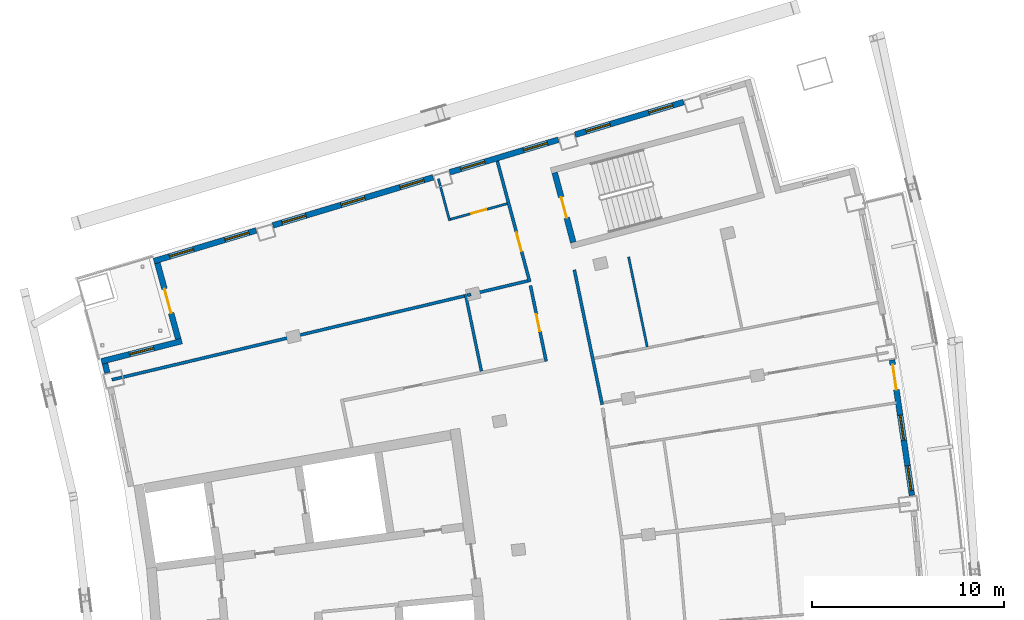
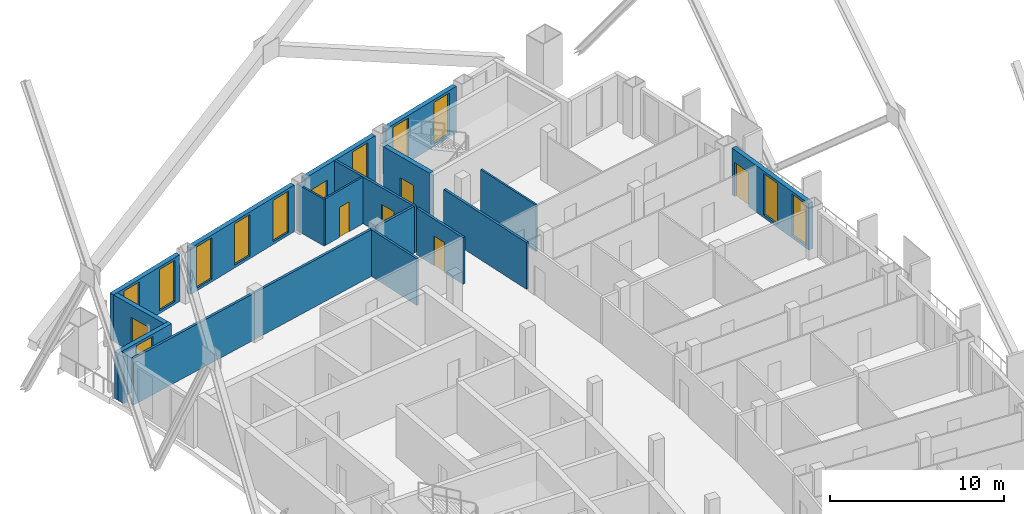
# One storey, part 13 of 21: 19 walls, 12 windows, 6 doors, 18 openings.
"""IFC4 building model written with IfcOpenShell, lengths in metres."""

from ifc_helpers import new_model, si_unit, direction, frame, frame_2d, origin, place, context, subcontext, project, spatial, rectangle, extrude, material, layer, layer_set, type_object, element, fill, save


model = new_model("IFC4")

# Units and contexts
model_context = context("Model", 3, precision=1e-05, world=origin(), true_north=direction((0.0, 1.0)))
body_context = subcontext(model_context, "Body", "Model", "MODEL_VIEW")
ifc_project = project(units=[si_unit("LENGTHUNIT", "METRE"), si_unit("AREAUNIT", "SQUARE_METRE"), si_unit("VOLUMEUNIT", "CUBIC_METRE"), si_unit("PLANEANGLEUNIT", "RADIAN"), si_unit("MASSUNIT", "GRAM", prefix="KILO")], contexts=[model_context])

# Site, building, storey
site_placement = place(None, origin())
site = spatial("IfcSite", under=ifc_project, at=site_placement, CompositionType="ELEMENT")
building_placement = place(site_placement, origin())
building = spatial("IfcBuilding", under=site, at=building_placement, Name="Alderwake Tower", CompositionType="ELEMENT")
storey_placement = place(building_placement, frame((0.0, 0.0, 267.199951171875)))
storey = spatial("IfcBuildingStorey", under=building, at=storey_placement, Name="L66", CompositionType="ELEMENT", Elevation=267.199951171875)

# Wall, opening, door
ifc_material_1 = material(Name="Concrete C70/85", Category="concrete")
ifc_layer_1 = layer(ifc_material_1, 0.300048828125)
ifc_layer_set_1 = layer_set([ifc_layer_1], Name="Core wall stair enclosure 300 C70-85")
wall_type_1 = type_object("IfcWallType", Name="Core wall stair enclosure 300 C70-85", PredefinedType="SHEAR", material=ifc_layer_set_1)
wall_1_placement = place(storey_placement, frame((37.8603515625, 90.452392578125, 0.0), z_axis=(0.0, 0.0, 1.0), x_axis=(-0.257411420208, 0.966301899381, 0.0)))
wall_1 = element("IfcWall", 1, at=wall_1_placement, inside=storey, type_object=wall_type_1, Name="Core wall CW.083", PredefinedType="SHEAR", context=body_context, shape_type="SweptSolid", body=[
    extrude(rectangle(XDim=3.750244140625, YDim=0.300048828125, at=frame_2d((1.875, 0.0))), origin(), (0.0, 0.0, 1.0), 3.60009765625),
])
opening_1_placement = place(wall_1_placement, frame((1.324951171875, 0.0, 0.0)))
opening_1 = element("IfcOpeningElement", 2, at=opening_1_placement, cuts=wall_1, Name="Opening C062", PredefinedType="OPENING", context=body_context, shape_type="SweptSolid", body=[
    extrude(rectangle(XDim=1.10009765625, YDim=2.10009765625, at=frame_2d((0.550048828125, 1.050048828125))), frame((0.0, 0.159912109375, 0.0), z_axis=(0.0, -1.0, 0.0), x_axis=(1.0, 0.0, 0.0)), (0.0, 0.0, 1.0), 0.320068359375),
])
ifc_material_2 = material(Name="Steel-framed fire door leaf", Category="steel")
door_type_1 = type_object("IfcDoorType", Name="Core stair door 1100 fire-rated", OperationType="SINGLE_SWING_LEFT", PredefinedType="DOOR", material=ifc_material_2)
door_1_placement = place(opening_1_placement, origin())
door_1 = element("IfcDoor", 3, at=door_1_placement, inside=storey, type_object=door_type_1, Name="Stair door", OperationType="SINGLE_SWING_RIGHT", OverallHeight=2.10009765625, OverallWidth=1.10009765625, PredefinedType="DOOR", context=body_context, shape_type="SweptSolid", body=[
    extrude(rectangle(XDim=1.10009765625, YDim=2.10009765625, at=frame_2d((0.550048828125, 1.050048828125))), frame((0.0, 0.02490234375, 0.0), z_axis=(0.0, -1.0, 0.0), x_axis=(1.0, 0.0, 0.0)), (0.0, 0.0, 1.0), 0.050048828125),
])
fill(opening_1, door_1)

# Walls
ifc_material_3 = material(Name="Gypsum board on metal studs, rated")
ifc_layer_2 = layer(ifc_material_3, 0.159912109375)
ifc_layer_set_2 = layer_set([ifc_layer_2], Name="Corridor wall 160")
wall_type_2 = type_object("IfcWallType", Name="Corridor wall 160", PredefinedType="PARTITIONING", material=ifc_layer_set_2)
wall_2_placement = place(storey_placement, frame((32.200927734375, 87.66650390625, 0.0), z_axis=(0.0, 0.0, 1.0), x_axis=(-0.972897690171, -0.231235993004, 0.0)))
element("IfcWall", 4, at=wall_2_placement, inside=storey, type_object=wall_type_2, Name="WL/L66/W10", PredefinedType="PARTITIONING", context=body_context, shape_type="SweptSolid", body=[
    extrude(rectangle(XDim=18.8271484375, YDim=0.159912109375, at=frame_2d((9.41357421875, 0.0))), origin(), (0.0, 0.0, 1.0), 3.280029296875),
])
wall_3_placement = place(storey_placement, frame((32.5439453125, 87.7470703125, 0.0), z_axis=(0.0, 0.0, 1.0), x_axis=(-0.974391195695, -0.224859506699, 0.0)))
element("IfcWall", 5, at=wall_3_placement, inside=storey, type_object=wall_type_2, Name="WL/L66/W11", PredefinedType="PARTITIONING", context=body_context, shape_type="SweptSolid", body=[
    extrude(rectangle(XDim=0.205322265625, YDim=0.159912109375, at=frame_2d((0.1025390625, 0.0))), origin(), (0.0, 0.0, 1.0), 3.280029296875),
])

# Wall, opening, door
wall_4_placement = place(storey_placement, frame((35.600830078125, 88.392578125, 0.0), z_axis=(0.0, 0.0, 1.0), x_axis=(-0.259509260101, 0.965740619381, 0.0)))
wall_4 = element("IfcWall", 6, at=wall_4_placement, inside=storey, type_object=wall_type_2, Name="WL/L66/W12", PredefinedType="PARTITIONING", context=body_context, shape_type="SweptSolid", body=[
    extrude(rectangle(XDim=6.50732421875, YDim=0.159912109375, at=frame_2d((3.253662109375, 0.0))), origin(), (0.0, 0.0, 1.0), 3.280029296875),
])
opening_2_placement = place(wall_4_placement, frame((1.65771484375, 0.0, 0.0)))
opening_2 = element("IfcOpeningElement", 7, at=opening_2_placement, cuts=wall_4, Name="Opening R19-U08.1", PredefinedType="OPENING", context=body_context, shape_type="SweptSolid", body=[
    extrude(rectangle(XDim=1.0, YDim=2.10009765625, at=frame_2d((0.5, 1.050048828125))), frame((0.0, 0.08984375, 0.0), z_axis=(0.0, -1.0, 0.0), x_axis=(1.0, 0.0, 0.0)), (0.0, 0.0, 1.0), 0.179931640625),
])
ifc_material_4 = material(Name="Solid timber leaf in steel frame", Category="steel")
door_type_2 = type_object("IfcDoorType", Name="Flat entrance door 1000 fire-rated", OperationType="SINGLE_SWING_LEFT", PredefinedType="DOOR", material=ifc_material_4)
door_2_placement = place(opening_2_placement, origin())
door_2 = element("IfcDoor", 8, at=door_2_placement, inside=storey, type_object=door_type_2, Name="DR/L66/U08.1", OperationType="SINGLE_SWING_LEFT", OverallHeight=2.10009765625, OverallWidth=1.0, PredefinedType="DOOR", context=body_context, shape_type="SweptSolid", body=[
    extrude(rectangle(XDim=1.0, YDim=2.10009765625, at=frame_2d((0.5, 1.050048828125))), frame((0.0, 0.02490234375, 0.0), z_axis=(0.0, -1.0, 0.0), x_axis=(1.0, 0.0, 0.0)), (0.0, 0.0, 1.0), 0.050048828125),
])
fill(opening_2, door_2)

# Wall
wall_5_placement = place(storey_placement, frame((35.502197265625, 88.451416015625, 0.0), z_axis=(0.0, 0.0, 1.0), x_axis=(-0.972846580049, -0.231450927168, 0.0)))
element("IfcWall", 9, at=wall_5_placement, inside=storey, type_object=wall_type_2, Name="WL/L66/W14", PredefinedType="PARTITIONING", context=body_context, shape_type="SweptSolid", body=[
    extrude(rectangle(XDim=2.854248046875, YDim=0.159912109375, at=frame_2d((1.42724609375, 0.0))), origin(), (0.0, 0.0, 1.0), 3.280029296875),
])

# Wall, opening, door
wall_6_placement = place(storey_placement, frame((36.451416015625, 84.272705078125, 0.0), z_axis=(0.0, 0.0, 1.0), x_axis=(-0.203258199701, 0.979125172924, 0.0)))
wall_6 = element("IfcWall", 10, at=wall_6_placement, inside=storey, type_object=wall_type_2, Name="WL/L66/W15", PredefinedType="PARTITIONING", context=body_context, shape_type="SweptSolid", body=[
    extrude(rectangle(XDim=4.020263671875, YDim=0.159912109375, at=frame_2d((2.01025390625, 0.0))), origin(), (0.0, 0.0, 1.0), 3.280029296875),
])
opening_3_placement = place(wall_6_placement, frame((1.599609375, 0.0, 0.0)))
opening_3 = element("IfcOpeningElement", 11, at=opening_3_placement, cuts=wall_6, Name="Opening R19-SBN2", PredefinedType="OPENING", context=body_context, shape_type="SweptSolid", body=[
    extrude(rectangle(XDim=0.89990234375, YDim=2.10009765625, at=frame_2d((0.449951171875, 1.050048828125))), frame((0.0, 0.08984375, 0.0), z_axis=(0.0, -1.0, 0.0), x_axis=(1.0, 0.0, 0.0)), (0.0, 0.0, 1.0), 0.179931640625),
])
ifc_material_5 = material(Name="Painted timber leaf", Category="wood")
door_type_3 = type_object("IfcDoorType", Name="Room door 900", OperationType="SINGLE_SWING_LEFT", PredefinedType="DOOR", material=ifc_material_5)
door_3_placement = place(opening_3_placement, origin())
door_3 = element("IfcDoor", 12, at=door_3_placement, inside=storey, type_object=door_type_3, Name="DR/L66/SBN2", OperationType="SINGLE_SWING_LEFT", OverallHeight=2.10009765625, OverallWidth=0.89990234375, PredefinedType="DOOR", context=body_context, shape_type="SweptSolid", body=[
    extrude(rectangle(XDim=0.89990234375, YDim=2.10009765625, at=frame_2d((0.449951171875, 1.050048828125))), frame((0.0, 0.02490234375, 0.0), z_axis=(0.0, -1.0, 0.0), x_axis=(1.0, 0.0, 0.0)), (0.0, 0.0, 1.0), 0.050048828125),
])
fill(opening_3, door_3)

# Wall
wall_7_placement = place(storey_placement, frame((39.3642578125, 82.022705078125, 0.0), z_axis=(0.0, 0.0, 1.0), x_axis=(-0.202409142021, 0.979301046271, 0.0)))
element("IfcWall", 13, at=wall_7_placement, inside=storey, type_object=wall_type_2, Name="WL/L66/W20", PredefinedType="PARTITIONING", context=body_context, shape_type="SweptSolid", body=[
    extrude(rectangle(XDim=7.150146484375, YDim=0.159912109375, at=frame_2d((3.5751953125, 0.0))), origin(), (0.0, 0.0, 1.0), 3.280029296875),
])

# Wall, openings, door, windows
ifc_material_6 = material(Name="Precast concrete C50/60 spandrel panel", Category="concrete")
ifc_layer_3 = layer(ifc_material_6, 0.300048828125)
ifc_layer_set_3 = layer_set([ifc_layer_3], Name="External wall EW1 Precast concrete C50/60 spandrel")
wall_type_3 = type_object("IfcWallType", Name="External wall EW1 Precast concrete C50/60 spandrel", PredefinedType="SOLIDWALL", material=ifc_layer_set_3)
wall_8_placement = place(storey_placement, frame((55.461181640625, 77.30029296875, 0.0), z_axis=(0.0, 0.0, 1.0), x_axis=(-0.145316175734, 0.98938526827, 0.0)))
wall_8 = element("IfcWall", 14, at=wall_8_placement, inside=storey, type_object=wall_type_3, Name="External wall 18", PredefinedType="SOLIDWALL", context=body_context, shape_type="SweptSolid", body=[
    extrude(rectangle(XDim=7.114990234375, YDim=0.300048828125, at=frame_2d((3.5576171875, 0.0))), origin(), (0.0, 0.0, 1.0), 3.280029296875),
])
opening_4_placement = place(wall_8_placement, frame((0.259521484375, 0.0, 0.199951171875)))
opening_4 = element("IfcOpeningElement", 15, at=opening_4_placement, cuts=wall_8, Name="Opening W1", PredefinedType="OPENING", context=body_context, shape_type="SweptSolid", body=[
    extrude(rectangle(XDim=1.300048828125, YDim=2.89990234375, at=frame_2d((0.64990234375, 1.449951171875))), frame((0.0, 0.159912109375, 0.0), z_axis=(0.0, -1.0, 0.0), x_axis=(1.0, 0.0, 0.0)), (0.0, 0.0, 1.0), 0.320068359375),
])
opening_5_placement = place(wall_8_placement, frame((2.907470703125, 0.0, 0.199951171875)))
opening_5 = element("IfcOpeningElement", 16, at=opening_5_placement, cuts=wall_8, Name="Opening W1", PredefinedType="OPENING", context=body_context, shape_type="SweptSolid", body=[
    extrude(rectangle(XDim=1.300048828125, YDim=2.89990234375, at=frame_2d((0.64990234375, 1.449951171875))), frame((0.0, 0.159912109375, 0.0), z_axis=(0.0, -1.0, 0.0), x_axis=(1.0, 0.0, 0.0)), (0.0, 0.0, 1.0), 0.320068359375),
])
opening_6_placement = place(wall_8_placement, frame((5.555419921875, 0.0, 0.0)))
opening_6 = element("IfcOpeningElement", 17, at=opening_6_placement, cuts=wall_8, Name="Opening D08", PredefinedType="OPENING", context=body_context, shape_type="SweptSolid", body=[
    extrude(rectangle(XDim=1.300048828125, YDim=2.39990234375, at=frame_2d((0.64990234375, 1.199951171875))), frame((0.0, 0.159912109375, 0.0), z_axis=(0.0, -1.0, 0.0), x_axis=(1.0, 0.0, 0.0)), (0.0, 0.0, 1.0), 0.320068359375),
])
ifc_material_7 = material(Name="Bronze tinted glass in aluminium frame", Category="aluminium")
door_type_4 = type_object("IfcDoorType", Name="Balcony door BD sliding", OperationType="SLIDING_TO_LEFT", PredefinedType="DOOR", material=ifc_material_7)
door_4_placement = place(opening_6_placement, origin())
door_4 = element("IfcDoor", 18, at=door_4_placement, inside=storey, type_object=door_type_4, Name="Door D08", OperationType="SLIDING_TO_LEFT", OverallHeight=2.39990234375, OverallWidth=1.300048828125, PredefinedType="DOOR", context=body_context, shape_type="SweptSolid", body=[
    extrude(rectangle(XDim=1.300048828125, YDim=2.39990234375, at=frame_2d((0.64990234375, 1.199951171875))), frame((0.0, 0.02490234375, 0.0), z_axis=(0.0, -1.0, 0.0), x_axis=(1.0, 0.0, 0.0)), (0.0, 0.0, 1.0), 0.050048828125),
])
fill(opening_6, door_4)
ifc_material_8 = material(Name="Bronze tinted glass in aluminium frame", Category="aluminium")
window_type_1 = type_object("IfcWindowType", Name="Window W1 tall fixed and vent", PartitioningType="DOUBLE_PANEL_VERTICAL", PredefinedType="WINDOW", material=ifc_material_8)
window_1_placement = place(opening_4_placement, origin())
window_1 = element("IfcWindow", 19, at=window_1_placement, inside=storey, type_object=window_type_1, Name="Window W1 tall fixed and vent", OverallHeight=2.89990234375, OverallWidth=1.300048828125, PartitioningType="DOUBLE_PANEL_VERTICAL", PredefinedType="WINDOW", context=body_context, shape_type="SweptSolid", body=[
    extrude(rectangle(XDim=1.300048828125, YDim=2.89990234375, at=frame_2d((0.64990234375, 1.449951171875))), frame((0.0, 0.030029296875, 0.0), z_axis=(0.0, -1.0, 0.0), x_axis=(1.0, 0.0, 0.0)), (0.0, 0.0, 1.0), 0.06005859375),
])
fill(opening_4, window_1)
window_2_placement = place(opening_5_placement, origin())
window_2 = element("IfcWindow", 20, at=window_2_placement, inside=storey, type_object=window_type_1, Name="Window W1 tall fixed and vent", OverallHeight=2.89990234375, OverallWidth=1.300048828125, PartitioningType="DOUBLE_PANEL_VERTICAL", PredefinedType="WINDOW", context=body_context, shape_type="SweptSolid", body=[
    extrude(rectangle(XDim=1.300048828125, YDim=2.89990234375, at=frame_2d((0.64990234375, 1.449951171875))), frame((0.0, 0.030029296875, 0.0), z_axis=(0.0, -1.0, 0.0), x_axis=(1.0, 0.0, 0.0)), (0.0, 0.0, 1.0), 0.06005859375),
])
fill(opening_5, window_2)

# Wall
wall_9_placement = place(storey_placement, frame((13.523193359375, 84.1572265625, 0.0), z_axis=(0.0, 0.0, 1.0), x_axis=(0.238653145818, -0.971104873838, 0.0)))
element("IfcWall", 21, at=wall_9_placement, inside=storey, type_object=wall_type_3, Name="External wall 30", PredefinedType="SOLIDWALL", context=body_context, shape_type="SweptSolid", body=[
    extrude(rectangle(XDim=0.50341796875, YDim=0.300048828125, at=frame_2d((0.251708984375, 0.0))), origin(), (0.0, 0.0, 1.0), 3.280029296875),
])

# Wall, openings, windows
ifc_material_9 = material(Name="Bronze metal cladding on lightweight framing")
ifc_layer_4 = layer(ifc_material_9, 0.300048828125)
ifc_layer_set_4 = layer_set([ifc_layer_4], Name="External wall EW2 bronze metal cladding")
wall_type_4 = type_object("IfcWallType", Name="External wall EW2 bronze metal cladding", PredefinedType="SOLIDWALL", material=ifc_layer_set_4)
wall_10_placement = place(storey_placement, frame((43.601806640625, 97.743408203125, 0.0), z_axis=(0.0, 0.0, 1.0), x_axis=(-0.957760170947, -0.287568174436, 0.0)))
wall_10 = element("IfcWall", 22, at=wall_10_placement, inside=storey, type_object=wall_type_4, Name="External wall 24", PredefinedType="SOLIDWALL", context=body_context, shape_type="SweptSolid", body=[
    extrude(rectangle(XDim=5.89697265625, YDim=0.300048828125, at=frame_2d((2.948486328125, 0.0))), origin(), (0.0, 0.0, 1.0), 3.280029296875),
])
opening_7_placement = place(wall_10_placement, frame((0.598388671875, 0.0, 0.199951171875)))
opening_7 = element("IfcOpeningElement", 23, at=opening_7_placement, cuts=wall_10, Name="Opening W1", PredefinedType="OPENING", context=body_context, shape_type="SweptSolid", body=[
    extrude(rectangle(XDim=1.300048828125, YDim=2.89990234375, at=frame_2d((0.64990234375, 1.449951171875))), frame((0.0, 0.159912109375, 0.0), z_axis=(0.0, -1.0, 0.0), x_axis=(1.0, 0.0, 0.0)), (0.0, 0.0, 1.0), 0.320068359375),
])
opening_8_placement = place(wall_10_placement, frame((3.99853515625, 0.0, 0.199951171875)))
opening_8 = element("IfcOpeningElement", 24, at=opening_8_placement, cuts=wall_10, Name="Opening W1", PredefinedType="OPENING", context=body_context, shape_type="SweptSolid", body=[
    extrude(rectangle(XDim=1.300048828125, YDim=2.89990234375, at=frame_2d((0.64990234375, 1.449951171875))), frame((0.0, 0.159912109375, 0.0), z_axis=(0.0, -1.0, 0.0), x_axis=(1.0, 0.0, 0.0)), (0.0, 0.0, 1.0), 0.320068359375),
])
window_3_placement = place(opening_7_placement, origin())
window_3 = element("IfcWindow", 25, at=window_3_placement, inside=storey, type_object=window_type_1, Name="Window W1 tall fixed and vent", OverallHeight=2.89990234375, OverallWidth=1.300048828125, PartitioningType="DOUBLE_PANEL_VERTICAL", PredefinedType="WINDOW", context=body_context, shape_type="SweptSolid", body=[
    extrude(rectangle(XDim=1.300048828125, YDim=2.89990234375, at=frame_2d((0.64990234375, 1.449951171875))), frame((0.0, 0.030029296875, 0.0), z_axis=(0.0, -1.0, 0.0), x_axis=(1.0, 0.0, 0.0)), (0.0, 0.0, 1.0), 0.06005859375),
])
fill(opening_7, window_3)
window_4_placement = place(opening_8_placement, origin())
window_4 = element("IfcWindow", 26, at=window_4_placement, inside=storey, type_object=window_type_1, Name="Window W1 tall fixed and vent", OverallHeight=2.89990234375, OverallWidth=1.300048828125, PartitioningType="DOUBLE_PANEL_VERTICAL", PredefinedType="WINDOW", context=body_context, shape_type="SweptSolid", body=[
    extrude(rectangle(XDim=1.300048828125, YDim=2.89990234375, at=frame_2d((0.64990234375, 1.449951171875))), frame((0.0, 0.030029296875, 0.0), z_axis=(0.0, -1.0, 0.0), x_axis=(1.0, 0.0, 0.0)), (0.0, 0.0, 1.0), 0.06005859375),
])
fill(opening_8, window_4)

wall_11_placement = place(storey_placement, frame((37.088623046875, 95.7880859375, 0.0), z_axis=(0.0, 0.0, 1.0), x_axis=(-0.957753322858, -0.287590981349, 0.0)))
wall_11 = element("IfcWall", 27, at=wall_11_placement, inside=storey, type_object=wall_type_4, Name="External wall 25", PredefinedType="SOLIDWALL", context=body_context, shape_type="SweptSolid", body=[
    extrude(rectangle(XDim=5.896484375, YDim=0.300048828125, at=frame_2d((2.9482421875, 0.0))), origin(), (0.0, 0.0, 1.0), 3.280029296875),
])
opening_9_placement = place(wall_11_placement, frame((0.598388671875, 0.0, 0.199951171875)))
opening_9 = element("IfcOpeningElement", 28, at=opening_9_placement, cuts=wall_11, Name="Opening W1", PredefinedType="OPENING", context=body_context, shape_type="SweptSolid", body=[
    extrude(rectangle(XDim=1.300048828125, YDim=2.89990234375, at=frame_2d((0.64990234375, 1.449951171875))), frame((0.0, 0.159912109375, 0.0), z_axis=(0.0, -1.0, 0.0), x_axis=(1.0, 0.0, 0.0)), (0.0, 0.0, 1.0), 0.320068359375),
])
opening_10_placement = place(wall_11_placement, frame((3.998291015625, 0.0, 1.0)))
opening_10 = element("IfcOpeningElement", 29, at=opening_10_placement, cuts=wall_11, Name="Opening W2", PredefinedType="OPENING", context=body_context, shape_type="SweptSolid", body=[
    extrude(rectangle(XDim=1.300048828125, YDim=1.199951171875, at=frame_2d((0.64990234375, 0.60009765625))), frame((0.0, 0.159912109375, 0.0), z_axis=(0.0, -1.0, 0.0), x_axis=(1.0, 0.0, 0.0)), (0.0, 0.0, 1.0), 0.320068359375),
])
window_5_placement = place(opening_9_placement, origin())
window_5 = element("IfcWindow", 30, at=window_5_placement, inside=storey, type_object=window_type_1, Name="Window W1 tall fixed and vent", OverallHeight=2.89990234375, OverallWidth=1.300048828125, PartitioningType="DOUBLE_PANEL_VERTICAL", PredefinedType="WINDOW", context=body_context, shape_type="SweptSolid", body=[
    extrude(rectangle(XDim=1.300048828125, YDim=2.89990234375, at=frame_2d((0.64990234375, 1.449951171875))), frame((0.0, 0.030029296875, 0.0), z_axis=(0.0, -1.0, 0.0), x_axis=(1.0, 0.0, 0.0)), (0.0, 0.0, 1.0), 0.06005859375),
])
fill(opening_9, window_5)
ifc_material_10 = material(Name="Bronze tinted glass in aluminium frame", Category="aluminium")
window_type_2 = type_object("IfcWindowType", Name="Window W2 kitchen and bath", PartitioningType="SINGLE_PANEL", PredefinedType="WINDOW", material=ifc_material_10)
window_6_placement = place(opening_10_placement, origin())
window_6 = element("IfcWindow", 31, at=window_6_placement, inside=storey, type_object=window_type_2, Name="Window W2 kitchen and bath", OverallHeight=1.199951171875, OverallWidth=1.300048828125, PartitioningType="SINGLE_PANEL", PredefinedType="WINDOW", context=body_context, shape_type="SweptSolid", body=[
    extrude(rectangle(XDim=1.300048828125, YDim=1.199951171875, at=frame_2d((0.64990234375, 0.60009765625))), frame((0.0, 0.030029296875, 0.0), z_axis=(0.0, -1.0, 0.0), x_axis=(1.0, 0.0, 0.0)), (0.0, 0.0, 1.0), 0.06005859375),
])
fill(opening_10, window_6)

wall_12_placement = place(storey_placement, frame((30.57568359375, 93.83251953125, 0.0), z_axis=(0.0, 0.0, 1.0), x_axis=(-0.957762902908, -0.287559075345, 0.0)))
wall_12 = element("IfcWall", 32, at=wall_12_placement, inside=storey, type_object=wall_type_4, Name="External wall 26", PredefinedType="SOLIDWALL", context=body_context, shape_type="SweptSolid", body=[
    extrude(rectangle(XDim=8.696533203125, YDim=0.300048828125, at=frame_2d((4.34814453125, 0.0))), origin(), (0.0, 0.0, 1.0), 3.280029296875),
])
opening_11_placement = place(wall_12_placement, frame((0.498291015625, 0.0, 0.199951171875)))
opening_11 = element("IfcOpeningElement", 33, at=opening_11_placement, cuts=wall_12, Name="Opening W1", PredefinedType="OPENING", context=body_context, shape_type="SweptSolid", body=[
    extrude(rectangle(XDim=1.300048828125, YDim=2.89990234375, at=frame_2d((0.64990234375, 1.449951171875))), frame((0.0, 0.159912109375, 0.0), z_axis=(0.0, -1.0, 0.0), x_axis=(1.0, 0.0, 0.0)), (0.0, 0.0, 1.0), 0.320068359375),
])
opening_12_placement = place(wall_12_placement, frame((3.6982421875, 0.0, 0.199951171875)))
opening_12 = element("IfcOpeningElement", 34, at=opening_12_placement, cuts=wall_12, Name="Opening W1", PredefinedType="OPENING", context=body_context, shape_type="SweptSolid", body=[
    extrude(rectangle(XDim=1.300048828125, YDim=2.89990234375, at=frame_2d((0.64990234375, 1.449951171875))), frame((0.0, 0.159912109375, 0.0), z_axis=(0.0, -1.0, 0.0), x_axis=(1.0, 0.0, 0.0)), (0.0, 0.0, 1.0), 0.320068359375),
])
opening_13_placement = place(wall_12_placement, frame((6.898193359375, 0.0, 0.199951171875)))
opening_13 = element("IfcOpeningElement", 35, at=opening_13_placement, cuts=wall_12, Name="Opening W1", PredefinedType="OPENING", context=body_context, shape_type="SweptSolid", body=[
    extrude(rectangle(XDim=1.300048828125, YDim=2.89990234375, at=frame_2d((0.64990234375, 1.449951171875))), frame((0.0, 0.159912109375, 0.0), z_axis=(0.0, -1.0, 0.0), x_axis=(1.0, 0.0, 0.0)), (0.0, 0.0, 1.0), 0.320068359375),
])
window_7_placement = place(opening_11_placement, origin())
window_7 = element("IfcWindow", 36, at=window_7_placement, inside=storey, type_object=window_type_1, Name="Window W1 tall fixed and vent", OverallHeight=2.89990234375, OverallWidth=1.300048828125, PartitioningType="DOUBLE_PANEL_VERTICAL", PredefinedType="WINDOW", context=body_context, shape_type="SweptSolid", body=[
    extrude(rectangle(XDim=1.300048828125, YDim=2.89990234375, at=frame_2d((0.64990234375, 1.449951171875))), frame((0.0, 0.030029296875, 0.0), z_axis=(0.0, -1.0, 0.0), x_axis=(1.0, 0.0, 0.0)), (0.0, 0.0, 1.0), 0.06005859375),
])
fill(opening_11, window_7)
window_8_placement = place(opening_12_placement, origin())
window_8 = element("IfcWindow", 37, at=window_8_placement, inside=storey, type_object=window_type_1, Name="Window W1 tall fixed and vent", OverallHeight=2.89990234375, OverallWidth=1.300048828125, PartitioningType="DOUBLE_PANEL_VERTICAL", PredefinedType="WINDOW", context=body_context, shape_type="SweptSolid", body=[
    extrude(rectangle(XDim=1.300048828125, YDim=2.89990234375, at=frame_2d((0.64990234375, 1.449951171875))), frame((0.0, 0.030029296875, 0.0), z_axis=(0.0, -1.0, 0.0), x_axis=(1.0, 0.0, 0.0)), (0.0, 0.0, 1.0), 0.06005859375),
])
fill(opening_12, window_8)
window_9_placement = place(opening_13_placement, origin())
window_9 = element("IfcWindow", 38, at=window_9_placement, inside=storey, type_object=window_type_1, Name="Window W1 tall fixed and vent", OverallHeight=2.89990234375, OverallWidth=1.300048828125, PartitioningType="DOUBLE_PANEL_VERTICAL", PredefinedType="WINDOW", context=body_context, shape_type="SweptSolid", body=[
    extrude(rectangle(XDim=1.300048828125, YDim=2.89990234375, at=frame_2d((0.64990234375, 1.449951171875))), frame((0.0, 0.030029296875, 0.0), z_axis=(0.0, -1.0, 0.0), x_axis=(1.0, 0.0, 0.0)), (0.0, 0.0, 1.0), 0.06005859375),
])
fill(opening_13, window_9)

wall_13_placement = place(storey_placement, frame((21.380859375, 91.072021484375, 0.0), z_axis=(0.0, 0.0, 1.0), x_axis=(-0.957769358194, -0.287537574074, 0.0)))
wall_13 = element("IfcWall", 39, at=wall_13_placement, inside=storey, type_object=wall_type_4, Name="External wall 27", PredefinedType="SOLIDWALL", context=body_context, shape_type="SweptSolid", body=[
    extrude(rectangle(XDim=5.549560546875, YDim=0.300048828125, at=frame_2d((2.77490234375, 0.0))), origin(), (0.0, 0.0, 1.0), 3.280029296875),
])
opening_14_placement = place(wall_13_placement, frame((0.3984375, 0.0, 0.199951171875)))
opening_14 = element("IfcOpeningElement", 40, at=opening_14_placement, cuts=wall_13, Name="Opening W1", PredefinedType="OPENING", context=body_context, shape_type="SweptSolid", body=[
    extrude(rectangle(XDim=1.300048828125, YDim=2.89990234375, at=frame_2d((0.64990234375, 1.449951171875))), frame((0.0, 0.159912109375, 0.0), z_axis=(0.0, -1.0, 0.0), x_axis=(1.0, 0.0, 0.0)), (0.0, 0.0, 1.0), 0.320068359375),
])
opening_15_placement = place(wall_13_placement, frame((3.399169921875, 0.0, 0.199951171875)))
opening_15 = element("IfcOpeningElement", 41, at=opening_15_placement, cuts=wall_13, Name="Opening W1", PredefinedType="OPENING", context=body_context, shape_type="SweptSolid", body=[
    extrude(rectangle(XDim=1.300048828125, YDim=2.89990234375, at=frame_2d((0.64990234375, 1.449951171875))), frame((0.0, 0.159912109375, 0.0), z_axis=(0.0, -1.0, 0.0), x_axis=(1.0, 0.0, 0.0)), (0.0, 0.0, 1.0), 0.320068359375),
])
window_10_placement = place(opening_14_placement, origin())
window_10 = element("IfcWindow", 42, at=window_10_placement, inside=storey, type_object=window_type_1, Name="Window W1 tall fixed and vent", OverallHeight=2.89990234375, OverallWidth=1.300048828125, PartitioningType="DOUBLE_PANEL_VERTICAL", PredefinedType="WINDOW", context=body_context, shape_type="SweptSolid", body=[
    extrude(rectangle(XDim=1.300048828125, YDim=2.89990234375, at=frame_2d((0.64990234375, 1.449951171875))), frame((0.0, 0.030029296875, 0.0), z_axis=(0.0, -1.0, 0.0), x_axis=(1.0, 0.0, 0.0)), (0.0, 0.0, 1.0), 0.06005859375),
])
fill(opening_14, window_10)
window_11_placement = place(opening_15_placement, origin())
window_11 = element("IfcWindow", 43, at=window_11_placement, inside=storey, type_object=window_type_1, Name="Window W1 tall fixed and vent", OverallHeight=2.89990234375, OverallWidth=1.300048828125, PartitioningType="DOUBLE_PANEL_VERTICAL", PredefinedType="WINDOW", context=body_context, shape_type="SweptSolid", body=[
    extrude(rectangle(XDim=1.300048828125, YDim=2.89990234375, at=frame_2d((0.64990234375, 1.449951171875))), frame((0.0, 0.030029296875, 0.0), z_axis=(0.0, -1.0, 0.0), x_axis=(1.0, 0.0, 0.0)), (0.0, 0.0, 1.0), 0.06005859375),
])
fill(opening_15, window_11)

# Wall, opening, door
wall_14_placement = place(storey_placement, frame((16.248779296875, 89.374755859375, 0.0), z_axis=(0.0, 0.0, 1.0), x_axis=(0.264607053468, -0.964356317579, 0.0)))
wall_14 = element("IfcWall", 44, at=wall_14_placement, inside=storey, type_object=wall_type_4, Name="External wall 28", PredefinedType="SOLIDWALL", context=body_context, shape_type="SweptSolid", body=[
    extrude(rectangle(XDim=4.090087890625, YDim=0.300048828125, at=frame_2d((2.044921875, 0.0))), origin(), (0.0, 0.0, 1.0), 3.280029296875),
])
opening_16_placement = place(wall_14_placement, frame((1.39501953125, 0.0, 0.0)))
opening_16 = element("IfcOpeningElement", 45, at=opening_16_placement, cuts=wall_14, Name="Opening D10", PredefinedType="OPENING", context=body_context, shape_type="SweptSolid", body=[
    extrude(rectangle(XDim=1.300048828125, YDim=2.39990234375, at=frame_2d((0.64990234375, 1.199951171875))), frame((0.0, 0.159912109375, 0.0), z_axis=(0.0, -1.0, 0.0), x_axis=(1.0, 0.0, 0.0)), (0.0, 0.0, 1.0), 0.320068359375),
])
door_5_placement = place(opening_16_placement, origin())
door_5 = element("IfcDoor", 46, at=door_5_placement, inside=storey, type_object=door_type_4, Name="Door D10", OperationType="SLIDING_TO_LEFT", OverallHeight=2.39990234375, OverallWidth=1.300048828125, PredefinedType="DOOR", context=body_context, shape_type="SweptSolid", body=[
    extrude(rectangle(XDim=1.300048828125, YDim=2.39990234375, at=frame_2d((0.64990234375, 1.199951171875))), frame((0.0, 0.02490234375, 0.0), z_axis=(0.0, -1.0, 0.0), x_axis=(1.0, 0.0, 0.0)), (0.0, 0.0, 1.0), 0.050048828125),
])
fill(opening_16, door_5)

# Wall, opening, window
wall_15_placement = place(storey_placement, frame((17.51611328125, 85.32275390625, 0.0), z_axis=(0.0, 0.0, 1.0), x_axis=(-0.969417740682, -0.245416470617, 0.0)))
wall_15 = element("IfcWall", 47, at=wall_15_placement, inside=storey, type_object=wall_type_4, Name="External wall 29", PredefinedType="SOLIDWALL", context=body_context, shape_type="SweptSolid", body=[
    extrude(rectangle(XDim=4.305419921875, YDim=0.300048828125, at=frame_2d((2.15283203125, 0.0))), origin(), (0.0, 0.0, 1.0), 3.280029296875),
])
opening_17_placement = place(wall_15_placement, frame((1.502685546875, 0.0, 0.199951171875)))
opening_17 = element("IfcOpeningElement", 48, at=opening_17_placement, cuts=wall_15, Name="Opening W1", PredefinedType="OPENING", context=body_context, shape_type="SweptSolid", body=[
    extrude(rectangle(XDim=1.300048828125, YDim=2.89990234375, at=frame_2d((0.64990234375, 1.449951171875))), frame((0.0, 0.159912109375, 0.0), z_axis=(0.0, -1.0, 0.0), x_axis=(1.0, 0.0, 0.0)), (0.0, 0.0, 1.0), 0.320068359375),
])
window_12_placement = place(opening_17_placement, origin())
window_12 = element("IfcWindow", 49, at=window_12_placement, inside=storey, type_object=window_type_1, Name="Window W1 tall fixed and vent", OverallHeight=2.89990234375, OverallWidth=1.300048828125, PartitioningType="DOUBLE_PANEL_VERTICAL", PredefinedType="WINDOW", context=body_context, shape_type="SweptSolid", body=[
    extrude(rectangle(XDim=1.300048828125, YDim=2.89990234375, at=frame_2d((0.64990234375, 1.449951171875))), frame((0.0, 0.030029296875, 0.0), z_axis=(0.0, -1.0, 0.0), x_axis=(1.0, 0.0, 0.0)), (0.0, 0.0, 1.0), 0.06005859375),
])
fill(opening_17, window_12)

# Walls
ifc_material_11 = material(Name="Gypsum shaft wall system, rated")
ifc_layer_5 = layer(ifc_material_11, 0.14990234375)
ifc_layer_set_5 = layer_set([ifc_layer_5], Name="Riser and shaft wall 150")
wall_type_5 = type_object("IfcWallType", Name="Riser and shaft wall 150", PredefinedType="PARTITIONING", material=ifc_layer_set_5)
wall_16_placement = place(storey_placement, frame((33.085693359375, 83.76025390625, 0.0), z_axis=(0.0, 0.0, 1.0), x_axis=(-0.202579923059, 0.979265732462, 0.0)))
element("IfcWall", 50, at=wall_16_placement, inside=storey, type_object=wall_type_5, Name="WL/L66/W05", PredefinedType="PARTITIONING", context=body_context, shape_type="SweptSolid", body=[
    extrude(rectangle(XDim=4.086669921875, YDim=0.14990234375, at=frame_2d((2.04345703125, 0.0))), origin(), (0.0, 0.0, 1.0), 3.280029296875),
])
ifc_material_12 = material(Name="Moisture resistant gypsum board on metal studs")
ifc_layer_6 = layer(ifc_material_12, 0.1201171875)
ifc_layer_set_6 = layer_set([ifc_layer_6], Name="Wet room partition 120")
wall_type_6 = type_object("IfcWallType", Name="Wet room partition 120", PredefinedType="PARTITIONING", material=ifc_layer_set_6)
wall_17_placement = place(storey_placement, frame((30.84912109375, 93.759033203125, 0.0), z_axis=(0.0, 0.0, 1.0), x_axis=(0.259155613864, -0.965835580108, 0.0)))
element("IfcWall", 51, at=wall_17_placement, inside=storey, type_object=wall_type_6, Name="WL/L66/W26", PredefinedType="PARTITIONING", context=body_context, shape_type="SweptSolid", body=[
    extrude(rectangle(XDim=2.259033203125, YDim=0.1201171875, at=frame_2d((1.12939453125, 0.0))), origin(), (0.0, 0.0, 1.0), 3.280029296875),
])

# Wall, opening, door
wall_18_placement = place(storey_placement, frame((31.476806640625, 91.65087890625, 0.0), z_axis=(0.0, 0.0, 1.0), x_axis=(0.964118102321, 0.265473698843, 0.0)))
wall_18 = element("IfcWall", 52, at=wall_18_placement, inside=storey, type_object=wall_type_6, Name="WL/L66/W28", PredefinedType="PARTITIONING", context=body_context, shape_type="SweptSolid", body=[
    extrude(rectangle(XDim=3.058837890625, YDim=0.1201171875, at=frame_2d((1.529296875, 0.0))), origin(), (0.0, 0.0, 1.0), 3.280029296875),
])
opening_18_placement = place(wall_18_placement, frame((1.12939453125, 0.0, 0.0)))
opening_18 = element("IfcOpeningElement", 53, at=opening_18_placement, cuts=wall_18, Name="Opening R19-U08.2", PredefinedType="OPENING", context=body_context, shape_type="SweptSolid", body=[
    extrude(rectangle(XDim=0.800048828125, YDim=2.10009765625, at=frame_2d((0.39990234375, 1.050048828125))), frame((0.0, 0.070068359375, 0.0), z_axis=(0.0, -1.0, 0.0), x_axis=(1.0, 0.0, 0.0)), (0.0, 0.0, 1.0), 0.14013671875),
])
ifc_material_13 = material(Name="Painted timber leaf", Category="wood")
door_type_5 = type_object("IfcDoorType", Name="Bathroom door 800", OperationType="SINGLE_SWING_LEFT", PredefinedType="DOOR", material=ifc_material_13)
door_6_placement = place(opening_18_placement, origin())
door_6 = element("IfcDoor", 54, at=door_6_placement, inside=storey, type_object=door_type_5, Name="DR/L66/U08.2", OperationType="SINGLE_SWING_LEFT", OverallHeight=2.10009765625, OverallWidth=0.800048828125, PredefinedType="DOOR", context=body_context, shape_type="SweptSolid", body=[
    extrude(rectangle(XDim=0.800048828125, YDim=2.10009765625, at=frame_2d((0.39990234375, 1.050048828125))), frame((0.0, 0.02490234375, 0.0), z_axis=(0.0, -1.0, 0.0), x_axis=(1.0, 0.0, 0.0)), (0.0, 0.0, 1.0), 0.050048828125),
])
fill(opening_18, door_6)

# Wall
wall_19_placement = place(storey_placement, frame((41.704833984375, 85.01806640625, 0.0), z_axis=(0.0, 0.0, 1.0), x_axis=(-0.202669848328, 0.979247125387, 0.0)))
element("IfcWall", 55, at=wall_19_placement, inside=storey, type_object=wall_type_6, Name="WL/L66/W31", PredefinedType="PARTITIONING", context=body_context, shape_type="SweptSolid", body=[
    extrude(rectangle(XDim=4.775146484375, YDim=0.1201171875, at=frame_2d((2.3876953125, 0.0))), origin(), (0.0, 0.0, 1.0), 3.280029296875),
])

save(model, "model.ifc")
